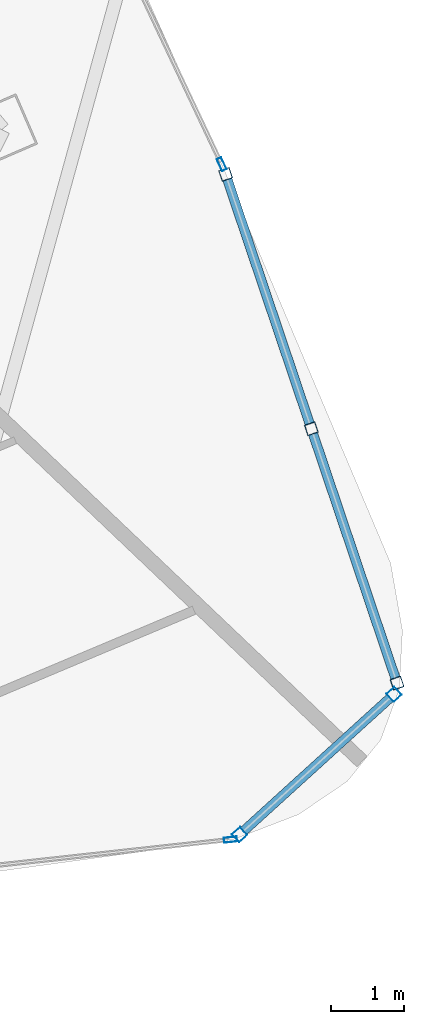
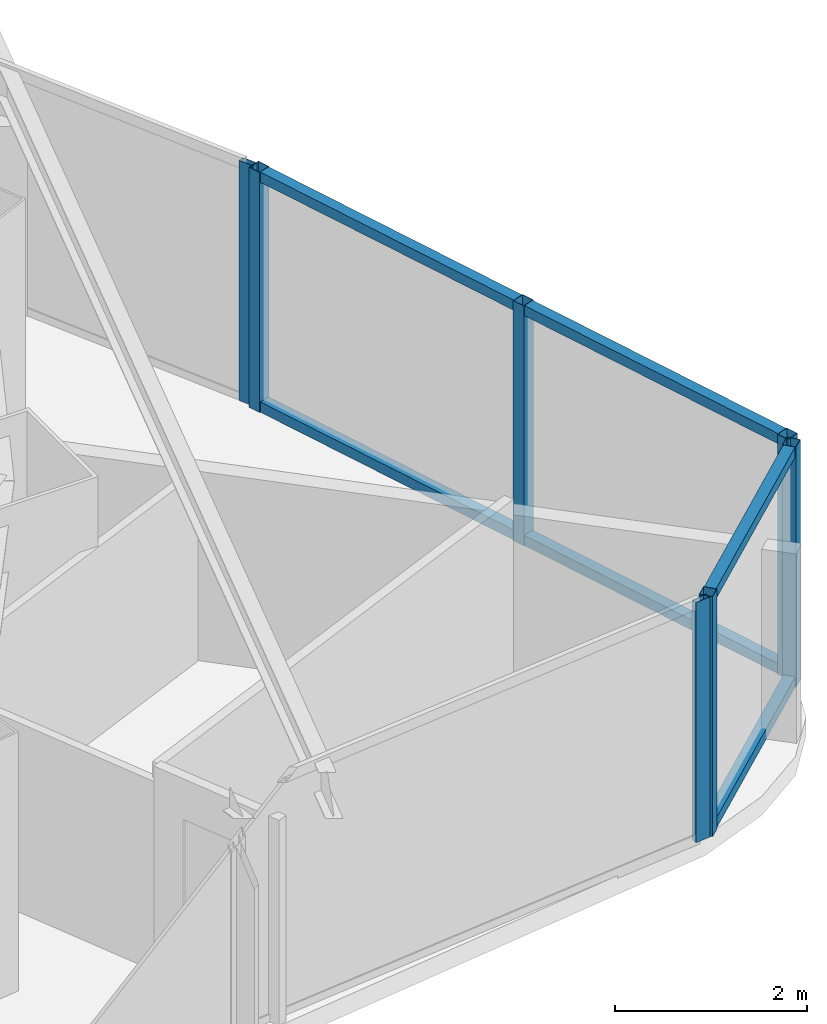
# One storey, part 13 of 31: 13 members, 4 elements without a shape of their own.
"""IFC4 building model written with IfcOpenShell, lengths in metres."""

from ifc_helpers import new_model, si_unit, direction, frame, origin, origin_2d, place, context, subcontext, project, spatial, hollow_rectangle, extrude, material, layer, layer_set, material_profile, profile_set, type_object, element, aggregate, save


model = new_model("IFC4")

# Units and contexts
model_context = context("Model", 3, precision=1e-05, world=origin(), true_north=direction((0.0, 1.0)))
body_context = subcontext(model_context, "Body", "Model", "MODEL_VIEW")
ifc_project = project(units=[si_unit("LENGTHUNIT", "METRE"), si_unit("AREAUNIT", "SQUARE_METRE"), si_unit("VOLUMEUNIT", "CUBIC_METRE"), si_unit("PLANEANGLEUNIT", "RADIAN"), si_unit("MASSUNIT", "GRAM", prefix="KILO")], contexts=[model_context])

# Site, building, storey
site_placement = place(None, origin())
site = spatial("IfcSite", under=ifc_project, at=site_placement, CompositionType="ELEMENT")
building_placement = place(site_placement, origin())
building = spatial("IfcBuilding", under=site, at=building_placement, Name="Orvanel Arch Residences", CompositionType="ELEMENT")
storey_placement = place(building_placement, frame((0.0, 0.0, 106.699951171875)))
storey = spatial("IfcBuildingStorey", under=building, at=storey_placement, Name="L29", CompositionType="ELEMENT", Elevation=106.699951171875)

# Curtain wall, members
ifc_material = material(Name="Bronze-anodised aluminium AA6063-T6", Category="aluminium")
ifc_layer_1 = layer(ifc_material, 0.18994140625)
ifc_layer_set_1 = layer_set([ifc_layer_1], Name="Bronze-anodised aluminium AA6063-T6")
curtain_wall_type_1 = type_object("IfcCurtainWallType", Name="CW5-CRN-SYS", PredefinedType="NOTDEFINED", material=ifc_layer_set_1)
curtain_wall_1_placement = place(storey_placement, origin())
curtain_wall_1 = element("IfcCurtainWall", 1, at=curtain_wall_1_placement, inside=storey, type_object=curtain_wall_type_1, Name="L29 CW5-CRN-SYS Unitised Curtain Wall", PredefinedType="NOTDEFINED")
ifc_material_profile_1 = material_profile(ifc_material, hollow_rectangle(XDim=0.14990234375, YDim=0.14990234375, WallThickness=0.0048828125, at=origin_2d()), Name="ALU150x150x5")
ifc_profile_set_1 = profile_set([ifc_material_profile_1], Name="Bronze-anodised aluminium AA6063-T6")
member_type_1 = type_object("IfcMemberType", Name="MUL-150x150", PredefinedType="MULLION", material=ifc_profile_set_1)
member_1_placement = place(storey_placement, frame((57.16455078125, 4.926513671875, 0.0), z_axis=(0.0, 0.0, 1.0), x_axis=(-0.672374817042, 0.740210851993, 0.0)))
member_1 = element("IfcMember", 2, at=member_1_placement, type_object=member_type_1, Name="CW-S5 mullion 1", PredefinedType="MULLION", context=body_context, shape_type="SweptSolid", body=[
    extrude(hollow_rectangle(XDim=0.14990234375, YDim=0.14990234375, WallThickness=0.0048828125, at=origin_2d()), origin(), (0.0, 0.0, 1.0), 3.06005859375),
])
member_2_placement = place(storey_placement, frame((59.279541015625, 6.84765625, 0.0), z_axis=(0.0, 0.0, 1.0), x_axis=(-0.672374817042, 0.740210851993, 0.0)))
member_2 = element("IfcMember", 3, at=member_2_placement, type_object=member_type_1, Name="CW-S5 mullion 2", PredefinedType="MULLION", context=body_context, shape_type="SweptSolid", body=[
    extrude(hollow_rectangle(XDim=0.14990234375, YDim=0.14990234375, WallThickness=0.0048828125, at=origin_2d()), origin(), (0.0, 0.0, 1.0), 3.06005859375),
])

curtain_wall_2_placement = place(storey_placement, origin())
curtain_wall_2 = element("IfcCurtainWall", 4, at=curtain_wall_2_placement, inside=storey, type_object=curtain_wall_type_1, Name="L29 CW5-CRN-SYS Unitised Curtain Wall", PredefinedType="NOTDEFINED")
member_3_placement = place(storey_placement, frame((59.320068359375, 7.0009765625, 0.0), z_axis=(0.0, 0.0, 1.0), x_axis=(-0.947624973099, -0.319385206856, 0.0)))
member_3 = element("IfcMember", 5, at=member_3_placement, type_object=member_type_1, Name="CW-S5 mullion 1", PredefinedType="MULLION", context=body_context, shape_type="SweptSolid", body=[
    extrude(hollow_rectangle(XDim=0.14990234375, YDim=0.14990234375, WallThickness=0.0048828125, at=origin_2d()), origin(), (0.0, 0.0, 1.0), 3.06005859375),
])
member_4_placement = place(storey_placement, frame((58.14599609375, 10.484619140625, 0.0), z_axis=(0.0, 0.0, 1.0), x_axis=(-0.947624973099, -0.319385206856, 0.0)))
member_4 = element("IfcMember", 6, at=member_4_placement, type_object=member_type_1, Name="CW-S5 mullion 2", PredefinedType="MULLION", context=body_context, shape_type="SweptSolid", body=[
    extrude(hollow_rectangle(XDim=0.14990234375, YDim=0.14990234375, WallThickness=0.0048828125, at=origin_2d()), origin(), (0.0, 0.0, 1.0), 3.06005859375),
])
member_5_placement = place(storey_placement, frame((56.971923828125, 13.968017578125, 0.0), z_axis=(0.0, 0.0, 1.0), x_axis=(-0.947624973099, -0.319385206856, 0.0)))
member_5 = element("IfcMember", 7, at=member_5_placement, type_object=member_type_1, Name="CW-S5 mullion 3", PredefinedType="MULLION", context=body_context, shape_type="SweptSolid", body=[
    extrude(hollow_rectangle(XDim=0.14990234375, YDim=0.14990234375, WallThickness=0.0048828125, at=origin_2d()), origin(), (0.0, 0.0, 1.0), 3.06005859375),
])

# Curtain wall, member
ifc_layer_2 = layer(ifc_material, 0.179931640625)
ifc_layer_set_2 = layer_set([ifc_layer_2], Name="Bronze-anodised aluminium AA6063-T6")
curtain_wall_type_2 = type_object("IfcCurtainWallType", Name="CW3-MID-SYS", PredefinedType="NOTDEFINED", material=ifc_layer_set_2)
curtain_wall_3_placement = place(storey_placement, origin())
curtain_wall_3 = element("IfcCurtainWall", 8, at=curtain_wall_3_placement, inside=storey, type_object=curtain_wall_type_2, Name="L29 CW3-MID-SYS Unitised Curtain Wall", PredefinedType="NOTDEFINED")
ifc_material_profile_2 = material_profile(ifc_material, hollow_rectangle(XDim=0.070068359375, YDim=0.179931640625, WallThickness=0.00439453125, at=origin_2d()), Name="ALU180x70x4.5")
ifc_profile_set_2 = profile_set([ifc_material_profile_2], Name="Bronze-anodised aluminium AA6063-T6")
member_type_2 = type_object("IfcMemberType", Name="MUL-180x70", PredefinedType="MULLION", material=ifc_profile_set_2)
member_6_placement = place(storey_placement, frame((57.039306640625, 4.857177734375, 0.0), z_axis=(0.0, 0.0, 1.0), x_axis=(-0.109154736008, 0.994024770117, 0.0)))
member_6 = element("IfcMember", 9, at=member_6_placement, type_object=member_type_2, Name="CW-S3 mullion 4", PredefinedType="MULLION", context=body_context, shape_type="SweptSolid", body=[
    extrude(hollow_rectangle(XDim=0.070068359375, YDim=0.179931640625, WallThickness=0.00439453125, at=origin_2d()), origin(), (0.0, 0.0, 1.0), 3.06005859375),
])
aggregate(curtain_wall_3, [member_6])

curtain_wall_4_placement = place(storey_placement, origin())
curtain_wall_4 = element("IfcCurtainWall", 10, at=curtain_wall_4_placement, inside=storey, type_object=curtain_wall_type_2, Name="L29 CW3-MID-SYS Unitised Curtain Wall", PredefinedType="NOTDEFINED")
member_7_placement = place(storey_placement, frame((56.91796875, 14.107666015625, 0.0), z_axis=(0.0, 0.0, 1.0), x_axis=(-0.904427848168, -0.42662661363, 0.0)))
member_7 = element("IfcMember", 11, at=member_7_placement, type_object=member_type_2, Name="CW-S3 mullion 1", PredefinedType="MULLION", context=body_context, shape_type="SweptSolid", body=[
    extrude(hollow_rectangle(XDim=0.070068359375, YDim=0.179931640625, WallThickness=0.00439453125, at=origin_2d()), origin(), (0.0, 0.0, 1.0), 3.06005859375),
])
aggregate(curtain_wall_4, [member_7])

# Member
ifc_material_profile_3 = material_profile(ifc_material, hollow_rectangle(XDim=0.1298828125, YDim=0.1298828125, WallThickness=0.00439453125, at=origin_2d()), Name="ALU130x130x4.5")
ifc_profile_set_3 = profile_set([ifc_material_profile_3], Name="Bronze-anodised aluminium AA6063-T6")
member_type_3 = type_object("IfcMemberType", Name="TRN-130x130", PredefinedType="USERDEFINED", material=ifc_profile_set_3)
member_8_placement = place(storey_placement, frame((57.219970703125, 4.976806640625, 0.06494140625), z_axis=(0.7402011737, 0.672385471626, 0.0), x_axis=(-0.672385471626, 0.7402011737, 0.0)))
member_8 = element("IfcMember", 12, at=member_8_placement, type_object=member_type_3, Name="CW-S5 transom 1.1", ObjectType="TRANSOM", PredefinedType="USERDEFINED", context=body_context, shape_type="SweptSolid", body=[
    extrude(hollow_rectangle(XDim=0.1298828125, YDim=0.1298828125, WallThickness=0.00439453125, at=origin_2d()), origin(), (0.0, 0.0, 1.0), 2.707275390625),
])

member_9_placement = place(storey_placement, frame((57.219970703125, 4.976806640625, 2.9951171875), z_axis=(0.7402011737, 0.672385471626, 0.0), x_axis=(-0.672385471626, 0.7402011737, 0.0)))
member_9 = element("IfcMember", 13, at=member_9_placement, type_object=member_type_3, Name="CW-S5 transom 1.2", ObjectType="TRANSOM", PredefinedType="USERDEFINED", context=body_context, shape_type="SweptSolid", body=[
    extrude(hollow_rectangle(XDim=0.1298828125, YDim=0.1298828125, WallThickness=0.00439453125, at=origin_2d()), origin(), (0.0, 0.0, 1.0), 2.707275390625),
])

aggregate(curtain_wall_1, [member_1, member_2, member_8, member_9])

member_10_placement = place(storey_placement, frame((59.296142578125, 7.072265625, 0.06494140625), z_axis=(-0.319425065817, 0.947611538199, 0.0), x_axis=(-0.947611538199, -0.319425065817, 0.0)))
member_10 = element("IfcMember", 14, at=member_10_placement, type_object=member_type_3, Name="CW-S5 transom 1.1", ObjectType="TRANSOM", PredefinedType="USERDEFINED", context=body_context, shape_type="SweptSolid", body=[
    extrude(hollow_rectangle(XDim=0.1298828125, YDim=0.1298828125, WallThickness=0.00439453125, at=origin_2d()), origin(), (0.0, 0.0, 1.0), 3.52587890625),
])

member_11_placement = place(storey_placement, frame((59.296142578125, 7.072265625, 2.9951171875), z_axis=(-0.319425065817, 0.947611538199, 0.0), x_axis=(-0.947611538199, -0.319425065817, 0.0)))
member_11 = element("IfcMember", 15, at=member_11_placement, type_object=member_type_3, Name="CW-S5 transom 1.2", ObjectType="TRANSOM", PredefinedType="USERDEFINED", context=body_context, shape_type="SweptSolid", body=[
    extrude(hollow_rectangle(XDim=0.1298828125, YDim=0.1298828125, WallThickness=0.00439453125, at=origin_2d()), origin(), (0.0, 0.0, 1.0), 3.52587890625),
])

member_12_placement = place(storey_placement, frame((58.1220703125, 10.5556640625, 0.06494140625), z_axis=(-0.319404107424, 0.947618602688, 0.0), x_axis=(-0.947618602688, -0.319404107424, 0.0)))
member_12 = element("IfcMember", 16, at=member_12_placement, type_object=member_type_3, Name="CW-S5 transom 2.1", ObjectType="TRANSOM", PredefinedType="USERDEFINED", context=body_context, shape_type="SweptSolid", body=[
    extrude(hollow_rectangle(XDim=0.1298828125, YDim=0.1298828125, WallThickness=0.00439453125, at=origin_2d()), origin(), (0.0, 0.0, 1.0), 3.526123046875),
])

member_13_placement = place(storey_placement, frame((58.1220703125, 10.5556640625, 2.9951171875), z_axis=(-0.319404107424, 0.947618602688, 0.0), x_axis=(-0.947618602688, -0.319404107424, 0.0)))
member_13 = element("IfcMember", 17, at=member_13_placement, type_object=member_type_3, Name="CW-S5 transom 2.2", ObjectType="TRANSOM", PredefinedType="USERDEFINED", context=body_context, shape_type="SweptSolid", body=[
    extrude(hollow_rectangle(XDim=0.1298828125, YDim=0.1298828125, WallThickness=0.00439453125, at=origin_2d()), origin(), (0.0, 0.0, 1.0), 3.526123046875),
])

aggregate(curtain_wall_2, [member_3, member_4, member_5, member_10, member_11, member_12, member_13])

save(model, "model.ifc")
